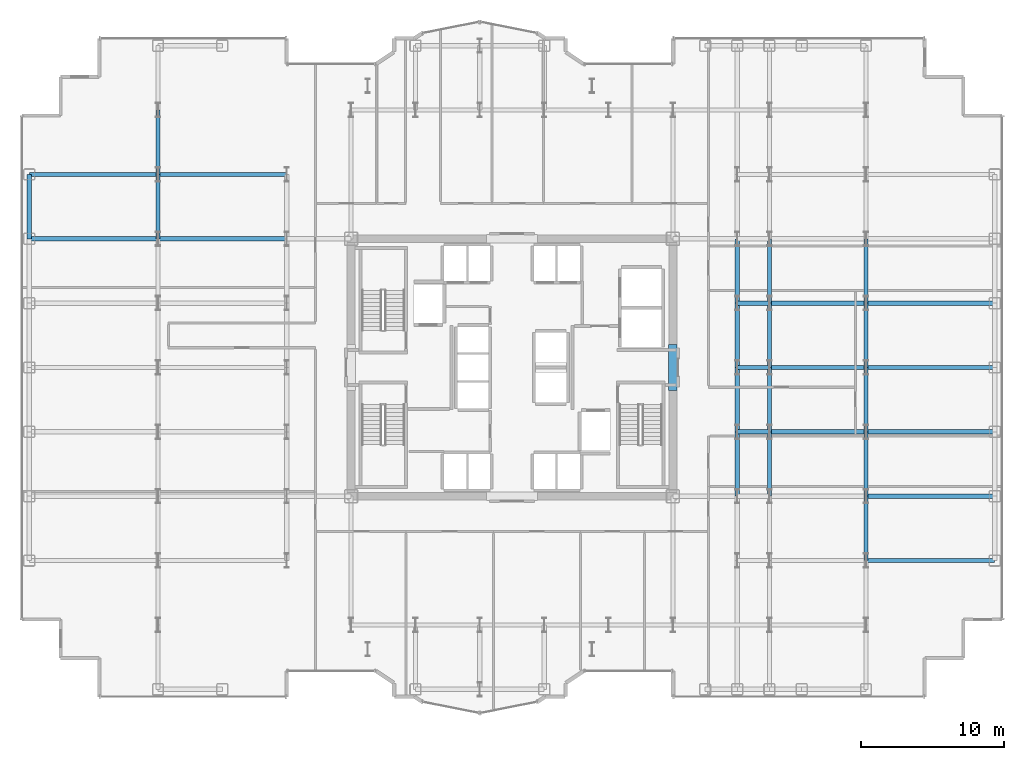
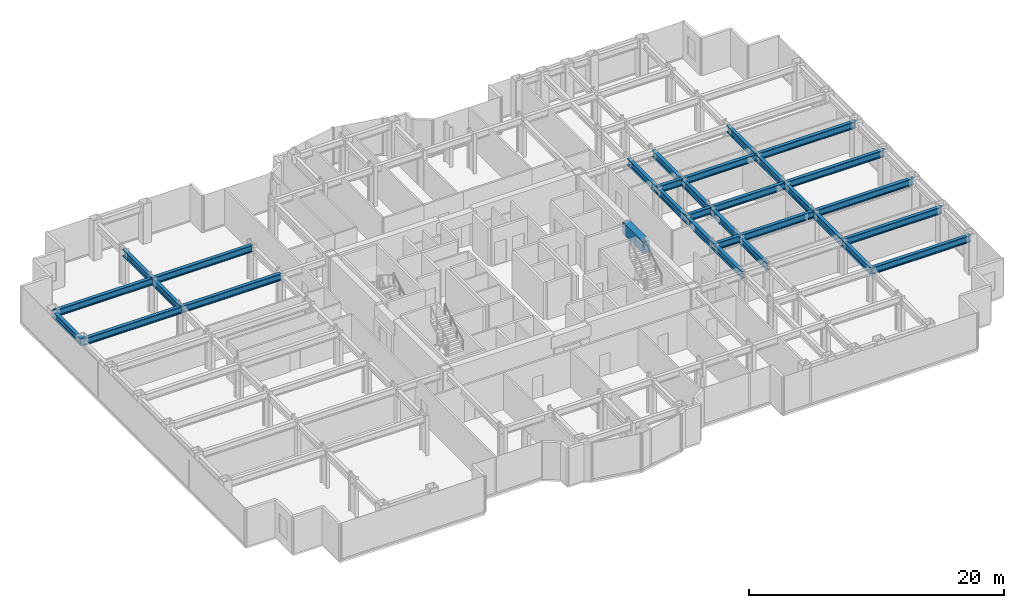
# One storey, part 8 of 26: 32 beams.
"""IFC4 building model written with IfcOpenShell, lengths in metres."""

from ifc_helpers import new_model, si_unit, direction, frame, origin, origin_2d, place, context, subcontext, project, spatial, rectangle, i_section, extrude, source, transform, mapped, material, material_profile, profile_set, type_object, element, save


model = new_model("IFC4")

# Units and contexts
model_context = context("Model", 3, precision=1e-05, world=origin(), true_north=direction((0.0, 1.0)))
body_context = subcontext(model_context, "Body", "Model", "MODEL_VIEW")
ifc_project = project(units=[si_unit("LENGTHUNIT", "METRE"), si_unit("AREAUNIT", "SQUARE_METRE"), si_unit("VOLUMEUNIT", "CUBIC_METRE"), si_unit("PLANEANGLEUNIT", "RADIAN"), si_unit("MASSUNIT", "GRAM", prefix="KILO")], contexts=[model_context])

# Site, building, storey
site_placement = place(None, origin())
site = spatial("IfcSite", under=ifc_project, at=site_placement, CompositionType="ELEMENT")
building_placement = place(site_placement, origin())
building = spatial("IfcBuilding", under=site, at=building_placement, Name="Nefas-Gora Pilgrimage Tower", CompositionType="ELEMENT")
storey_placement = place(building_placement, frame((0.0, 0.0, 132.60009765625)))
storey = spatial("IfcBuildingStorey", under=building, at=storey_placement, Name="L32", CompositionType="ELEMENT", Elevation=132.60009765625)

# Beams
ifc_material_1 = material(Name="Concrete C60/75", Category="concrete")
ifc_material_profile_1 = material_profile(ifc_material_1, rectangle(XDim=0.60009765625, YDim=1.10009765625, at=origin_2d()), Name="RC 600x1100")
ifc_profile_set_1 = profile_set([ifc_material_profile_1], Name="Concrete C60/75")
beam_type_1 = type_object("IfcBeamType", Name="BM-LIN-RC1100", PredefinedType="LINTEL", material=ifc_profile_set_1)
shared_shape_1 = source(origin(), body_context, "Body", "SweptSolid", [
    extrude(rectangle(XDim=0.60009765625, YDim=1.10009765625, at=origin_2d()), origin(), (0.0, 0.0, 1.0), 3.2001953125),
])
beam_1_placement = place(storey_placement, frame((11.25, -1.60009765625, 3.0), z_axis=(0.0, 1.0, 0.0), x_axis=(-1.0, 0.0, 0.0)))
element("IfcBeam", 1, at=beam_1_placement, inside=storey, type_object=beam_type_1, Name="L32 Core Coupling Lintel Beam E", PredefinedType="LINTEL", context=body_context, shape_type="MappedRepresentation", body=[
    mapped(shared_shape_1, transform((0.0, 0.0, 0.0), x_axis=(1.0, 0.0, 0.0), y_axis=(0.0, 1.0, 0.0), z_axis=(0.0, 0.0, 1.0), scale=1.0)),
])
ifc_material_2 = material(Name="Steel S355", Category="steel")
ifc_material_profile_2 = material_profile(ifc_material_2, i_section(OverallWidth=0.300048828125, OverallDepth=0.64990234375, WebThickness=0.01611328125, FlangeThickness=0.031005859375, FilletRadius=0.027099609375, at=origin_2d()), Name="HEB 650")
ifc_profile_set_2 = profile_set([ifc_material_profile_2], Name="Steel S355")
beam_type_2 = type_object("IfcBeamType", Name="BM-SPN-HEB500", PredefinedType="SPANDREL", material=ifc_profile_set_2)
shared_shape_2 = source(origin(), body_context, "Body", "SweptSolid", [
    extrude(i_section(OverallWidth=0.300048828125, OverallDepth=0.64990234375, WebThickness=0.01611328125, FlangeThickness=0.031005859375, FilletRadius=0.027099609375, at=origin_2d()), origin(), (0.0, 0.0, 1.0), 4.5),
])
beam_2_placement = place(storey_placement, frame((-33.75, 9.0, 3.224853515625), z_axis=(0.0, 1.0, 0.0), x_axis=(-1.0, 0.0, 0.0)))
element("IfcBeam", 2, at=beam_2_placement, inside=storey, type_object=beam_type_2, Name="L32 SP-02 beam", PredefinedType="SPANDREL", context=body_context, shape_type="MappedRepresentation", body=[
    mapped(shared_shape_2, transform((0.0, 0.0, 0.0), x_axis=(1.0, 0.0, 0.0), y_axis=(0.0, 1.0, 0.0), z_axis=(0.0, 0.0, 1.0), scale=1.0)),
])
ifc_material_profile_3 = material_profile(ifc_material_2, i_section(OverallWidth=0.300048828125, OverallDepth=0.64990234375, WebThickness=0.01611328125, FlangeThickness=0.031005859375, FilletRadius=0.027099609375, at=origin_2d()), Name="HEB 650")
ifc_profile_set_3 = profile_set([ifc_material_profile_3], Name="Steel S355")
beam_type_3 = type_object("IfcBeamType", Name="BM-GIR-HEB650", PredefinedType="BEAM", material=ifc_profile_set_3)
shared_shape_3 = source(origin(), body_context, "Body", "SweptSolid", [
    extrude(i_section(OverallWidth=0.300048828125, OverallDepth=0.64990234375, WebThickness=0.01611328125, FlangeThickness=0.031005859375, FilletRadius=0.027099609375, at=origin_2d()), origin(), (0.0, 0.0, 1.0), 9.0),
])
for number, where, z_axis, x_axis, name in (
    (3, (-33.75, 9.0, 3.224853515625), (1.0, 0.0, 0.0), (0.0, 1.0, 0.0), "L32 G-03 beam"),
    (4, (-33.75, 13.5, 3.224853515625), (1.0, 0.0, 0.0), (0.0, 1.0, 0.0), "L32 G-03 beam"),
    (5, (-24.75, 9.0, 3.224853515625), (1.0, 0.0, 0.0), (0.0, 1.0, 0.0), "L32 G-03 beam"),
    (6, (-24.75, 13.5, 3.224853515625), (1.0, 0.0, 0.0), (0.0, 1.0, 0.0), "L32 G-03 beam"),
    (7, (24.75, -13.5, 3.224853515625), (1.0, 0.0, 0.0), (0.0, 1.0, 0.0), "L32 G-03 beam"),
    (8, (24.75, -9.0, 3.224853515625), (1.0, 0.0, 0.0), (0.0, 1.0, 0.0), "L32 G-03 beam"),
    (9, (24.75, -4.5, 3.224853515625), (1.0, 0.0, 0.0), (0.0, 1.0, 0.0), "L32 G-03 beam"),
    (10, (24.75, 0.0, 3.224853515625), (1.0, 0.0, 0.0), (0.0, 1.0, 0.0), "L32 G-03 beam"),
    (11, (24.75, 4.5, 3.224853515625), (1.0, 0.0, 0.0), (0.0, 1.0, 0.0), "L32 G-03 beam"),
):
    element("IfcBeam", number, at=place(storey_placement, frame(where, z_axis=z_axis, x_axis=x_axis)), inside=storey, type_object=beam_type_3, Name=name, PredefinedType="BEAM", context=body_context, shape_type="MappedRepresentation", body=[
        mapped(shared_shape_3, transform((0.0, 0.0, 0.0), x_axis=(1.0, 0.0, 0.0), y_axis=(0.0, 1.0, 0.0), z_axis=(0.0, 0.0, 1.0), scale=1.0)),
    ])
shared_shape_4 = source(origin(), body_context, "Body", "SweptSolid", [
    extrude(i_section(OverallWidth=0.300048828125, OverallDepth=0.64990234375, WebThickness=0.01611328125, FlangeThickness=0.031005859375, FilletRadius=0.027099609375, at=origin_2d()), origin(), (0.0, 0.0, 1.0), 4.5),
])
for number, where, z_axis, x_axis, name in (
    (12, (-24.75, 9.0, 3.224853515625), (0.0, 1.0, 0.0), (-1.0, 0.0, 0.0), "L32 G-03 beam"),
    (13, (-24.75, 13.5, 3.224853515625), (0.0, 1.0, 0.0), (-1.0, 0.0, 0.0), "L32 G-03 beam"),
    (14, (15.75, -9.0, 3.224853515625), (0.0, 1.0, 0.0), (-1.0, 0.0, 0.0), "L32 G-03 beam"),
    (15, (15.75, -4.5, 3.224853515625), (0.0, 1.0, 0.0), (-1.0, 0.0, 0.0), "L32 G-03 beam"),
    (16, (15.75, 0.0, 3.224853515625), (0.0, 1.0, 0.0), (-1.0, 0.0, 0.0), "L32 G-03 beam"),
    (17, (15.75, 4.5, 3.224853515625), (0.0, 1.0, 0.0), (-1.0, 0.0, 0.0), "L32 G-03 beam"),
    (18, (18.0, -9.0, 3.224853515625), (0.0, 1.0, 0.0), (-1.0, 0.0, 0.0), "L32 G-03 beam"),
    (19, (18.0, -4.5, 3.224853515625), (0.0, 1.0, 0.0), (-1.0, 0.0, 0.0), "L32 G-03 beam"),
    (20, (18.0, 0.0, 3.224853515625), (0.0, 1.0, 0.0), (-1.0, 0.0, 0.0), "L32 G-03 beam"),
    (21, (18.0, 4.5, 3.224853515625), (0.0, 1.0, 0.0), (-1.0, 0.0, 0.0), "L32 G-03 beam"),
    (22, (24.75, -13.5, 3.224853515625), (0.0, 1.0, 0.0), (-1.0, 0.0, 0.0), "L32 G-03 beam"),
    (23, (24.75, -9.0, 3.224853515625), (0.0, 1.0, 0.0), (-1.0, 0.0, 0.0), "L32 G-03 beam"),
    (24, (24.75, -4.5, 3.224853515625), (0.0, 1.0, 0.0), (-1.0, 0.0, 0.0), "L32 G-03 beam"),
    (25, (24.75, 0.0, 3.224853515625), (0.0, 1.0, 0.0), (-1.0, 0.0, 0.0), "L32 G-03 beam"),
    (26, (24.75, 4.5, 3.224853515625), (0.0, 1.0, 0.0), (-1.0, 0.0, 0.0), "L32 G-03 beam"),
):
    element("IfcBeam", number, at=place(storey_placement, frame(where, z_axis=z_axis, x_axis=x_axis)), inside=storey, type_object=beam_type_3, Name=name, PredefinedType="BEAM", context=body_context, shape_type="MappedRepresentation", body=[
        mapped(shared_shape_4, transform((0.0, 0.0, 0.0), x_axis=(1.0, 0.0, 0.0), y_axis=(0.0, 1.0, 0.0), z_axis=(0.0, 0.0, 1.0), scale=1.0)),
    ])
shared_shape_5 = source(origin(), body_context, "Body", "SweptSolid", [
    extrude(i_section(OverallWidth=0.300048828125, OverallDepth=0.64990234375, WebThickness=0.01611328125, FlangeThickness=0.031005859375, FilletRadius=0.027099609375, at=origin_2d()), origin(), (0.0, 0.0, 1.0), 6.75),
])
for number, where, z_axis, x_axis, name in (
    (27, (18.0, -4.5, 3.224853515625), (1.0, 0.0, 0.0), (0.0, 1.0, 0.0), "L32 G-03 beam"),
    (28, (18.0, 0.0, 3.224853515625), (1.0, 0.0, 0.0), (0.0, 1.0, 0.0), "L32 G-03 beam"),
    (29, (18.0, 4.5, 3.224853515625), (1.0, 0.0, 0.0), (0.0, 1.0, 0.0), "L32 G-03 beam"),
):
    element("IfcBeam", number, at=place(storey_placement, frame(where, z_axis=z_axis, x_axis=x_axis)), inside=storey, type_object=beam_type_3, Name=name, PredefinedType="BEAM", context=body_context, shape_type="MappedRepresentation", body=[
        mapped(shared_shape_5, transform((0.0, 0.0, 0.0), x_axis=(1.0, 0.0, 0.0), y_axis=(0.0, 1.0, 0.0), z_axis=(0.0, 0.0, 1.0), scale=1.0)),
    ])
shared_shape_6 = source(origin(), body_context, "Body", "SweptSolid", [
    extrude(i_section(OverallWidth=0.300048828125, OverallDepth=0.64990234375, WebThickness=0.01611328125, FlangeThickness=0.031005859375, FilletRadius=0.027099609375, at=origin_2d()), origin(), (0.0, 0.0, 1.0), 2.25),
])
for number, where, z_axis, x_axis, name in (
    (30, (15.75, -4.5, 3.224853515625), (1.0, 0.0, 0.0), (0.0, 1.0, 0.0), "L32 G-03 beam"),
    (31, (15.75, 0.0, 3.224853515625), (1.0, 0.0, 0.0), (0.0, 1.0, 0.0), "L32 G-03 beam"),
    (32, (15.75, 4.5, 3.224853515625), (1.0, 0.0, 0.0), (0.0, 1.0, 0.0), "L32 G-03 beam"),
):
    element("IfcBeam", number, at=place(storey_placement, frame(where, z_axis=z_axis, x_axis=x_axis)), inside=storey, type_object=beam_type_3, Name=name, PredefinedType="BEAM", context=body_context, shape_type="MappedRepresentation", body=[
        mapped(shared_shape_6, transform((0.0, 0.0, 0.0), x_axis=(1.0, 0.0, 0.0), y_axis=(0.0, 1.0, 0.0), z_axis=(0.0, 0.0, 1.0), scale=1.0)),
    ])

save(model, "model.ifc")
